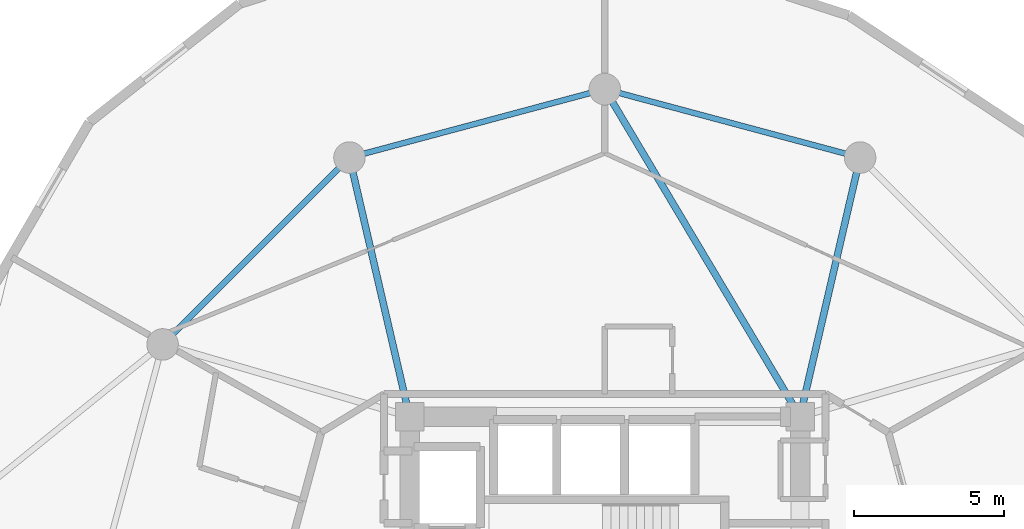
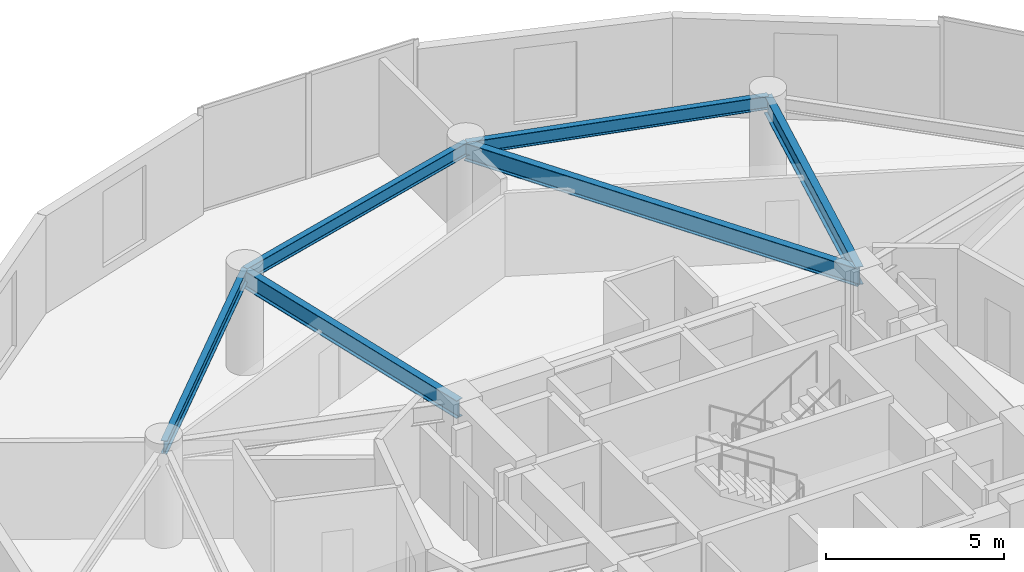
# One storey, part 11 of 20: 6 beams.
"""IFC4 building model written with IfcOpenShell, lengths in metres."""

import ifcopenshell
import ifcopenshell.guid

model = None  # the IFC model being written
_history = None  # IfcOwnerHistory: only IFC2X3 demands one
_inside = {}  # id of a spatial element -> (the spatial element, [elements in it])
_under = {}  # id of a project, library or spatial element -> (it, [spatial elements below it])
_declared = {}  # id of a project -> (the project, [libraries it declares])
_typed = {}  # id of a type object -> (the type object, [elements of that type])
_made_of = {}  # id of a material, layer set ... -> (it, [elements and type objects made of it])


def new_model(schema):
    """Start an empty IFC model of exactly this schema.

    Asked for "IFC4X3", IfcOpenShell would pick the latest addendum, in which some entities
    have other attributes; the version numbers below select the first issue.
    IFC2X3 requires an IfcOwnerHistory on every rooted entity: one is made here for all.
    """
    global model, _history
    if schema == "IFC4X3":
        model = ifcopenshell.file(schema_version=(4, 3, 0, 0))
    else:
        model = ifcopenshell.file(schema=schema)
    _inside.clear()
    _under.clear()
    _declared.clear()
    _typed.clear()
    _made_of.clear()
    _history = None
    if model.schema == "IFC2X3":
        org = make("IfcOrganization", Name="unknown")
        user = make(
            "IfcPersonAndOrganization",
            ThePerson=make("IfcPerson", FamilyName="unknown"),
            TheOrganization=org,
        )
        app = make(
            "IfcApplication",
            ApplicationDeveloper=org,
            Version="unknown",
            ApplicationFullName="unknown",
            ApplicationIdentifier="unknown",
        )
        _history = make(
            "IfcOwnerHistory",
            OwningUser=user,
            OwningApplication=app,
            ChangeAction="ADDED",
            CreationDate=0,
        )
    return model


def make(cls, **values):
    """One entity of the class cls with the attributes given. An attribute that is None is left unset."""
    return model.create_entity(
        cls, **{name: value for name, value in values.items() if value is not None}
    )


def rooted(cls, **values):
    """An entity with a GlobalId (a new one), such as an element, a storey or a relation."""
    return make(cls, GlobalId=ifcopenshell.guid.new(), OwnerHistory=_history, **values)


def si_unit(unit_type, name, prefix=None):
    """IfcSIUnit, for example si_unit("LENGTHUNIT", "METRE", prefix="MILLI")."""
    return make("IfcSIUnit", UnitType=unit_type, Prefix=prefix, Name=name)


def assignment(units):
    """IfcUnitAssignment: the units of a project."""
    return None if units is None else make("IfcUnitAssignment", Units=units)


def point(xyz):
    """IfcCartesianPoint."""
    return None if xyz is None else make("IfcCartesianPoint", Coordinates=xyz)


def direction(xyz):
    """IfcDirection."""
    return None if xyz is None else make("IfcDirection", DirectionRatios=xyz)


def frame(location, z_axis=None, x_axis=None):
    """IfcAxis2Placement3D, a coordinate frame: its origin and axes. An axis left out is left unset."""
    return make(
        "IfcAxis2Placement3D",
        Location=point(location),
        Axis=direction(z_axis),
        RefDirection=direction(x_axis),
    )


def frame_2d(location, x_axis=None):
    """IfcAxis2Placement2D, a coordinate frame in the plane: its origin and x axis."""
    return make(
        "IfcAxis2Placement2D", Location=point(location), RefDirection=direction(x_axis)
    )


def origin():
    """The frame at (0, 0, 0) with its axes left unset."""
    return frame((0.0, 0.0, 0.0))


def origin_2d():
    """The frame at (0, 0) in the plane with its x axis left unset."""
    return frame_2d((0.0, 0.0))


def place(relative_to, where):
    """IfcLocalPlacement: puts the frame where relative to a parent placement (None: the world)."""
    return make(
        "IfcLocalPlacement", PlacementRelTo=relative_to, RelativePlacement=where
    )


def context(
    kind, dimensions, precision=None, world=None, true_north=None, identifier=None
):
    """IfcGeometricRepresentationContext, for example the 3D "Model" context."""
    return make(
        "IfcGeometricRepresentationContext",
        ContextIdentifier=identifier,
        ContextType=kind,
        CoordinateSpaceDimension=dimensions,
        Precision=precision,
        WorldCoordinateSystem=world,
        TrueNorth=true_north,
    )


def subcontext(parent, identifier, kind, view, scale=None):
    """IfcGeometricRepresentationSubContext, for example "Body" below "Model"."""
    return make(
        "IfcGeometricRepresentationSubContext",
        ContextIdentifier=identifier,
        ContextType=kind,
        ParentContext=parent,
        TargetScale=scale,
        TargetView=view,
    )


def project(units=None, contexts=None):
    """IfcProject with its units and contexts."""
    return rooted(
        "IfcProject",
        Name="project",
        RepresentationContexts=contexts,
        UnitsInContext=assignment(units),
    )


def spatial(cls, under=None, at=None, **own):
    """A site, building, storey or space (cls), placed at a placement, below another one or the project."""
    s = rooted(cls, ObjectPlacement=at, **own)
    if under is not None:
        _under.setdefault(under.id(), (under, []))[1].append(s)
    return s


def profile(cls, at=None, kind="AREA", **sizes):
    """A parametric profile (cls). Its sizes go by their IFC names, for example OverallWidth=200.0."""
    return make(cls, ProfileType=kind, Position=at, **sizes)


def i_section(**sizes):
    """IfcIShapeProfileDef."""
    return profile("IfcIShapeProfileDef", **sizes)


def extrude(swept, where, along, depth):
    """IfcExtrudedAreaSolid: the profile swept, set in the frame where, extruded along a direction by depth."""
    return make(
        "IfcExtrudedAreaSolid",
        SweptArea=swept,
        Position=where,
        ExtrudedDirection=direction(along),
        Depth=depth,
    )


def shape(context_of_items, identifier, shape_type, items):
    """IfcShapeRepresentation: the items that make up one representation, for example the "Body"."""
    return make(
        "IfcShapeRepresentation",
        ContextOfItems=context_of_items,
        RepresentationIdentifier=identifier,
        RepresentationType=shape_type,
        Items=items,
    )


def material(Name=None, Category=None):
    """IfcMaterial."""
    return make("IfcMaterial", Name=Name, Category=Category)


def material_profile(
    of_material, cross_section, Name=None, Category=None, Priority=None
):
    """IfcMaterialProfile: a cross section and its material."""
    return make(
        "IfcMaterialProfile",
        Name=Name,
        Material=of_material,
        Profile=cross_section,
        Priority=Priority,
        Category=Category,
    )


def profile_set(profiles, Name=None, composite=None):
    """IfcMaterialProfileSet."""
    return make(
        "IfcMaterialProfileSet",
        Name=Name,
        MaterialProfiles=profiles,
        CompositeProfile=composite,
    )


def made_of(thing, what):
    """Note that an element or type object is made of a material, layer set ...; save() writes the relation."""
    if what is not None:
        _made_of.setdefault(what.id(), (what, []))[1].append(thing)
    return thing


def type_object(cls, material=None, **own):
    """A type object (cls), such as IfcWallType, which elements share."""
    return made_of(rooted(cls, **own), material)


def element(
    cls,
    number,
    at=None,
    inside=None,
    cuts=None,
    type_object=None,
    material=None,
    context=None,
    identifier="Body",
    shape_type=None,
    held_by="IfcProductDefinitionShape",
    body=None,
    shapes=None,
    **own,
):
    """One element of the class cls, such as IfcWall. Its Tag is "e" and its number.

    at: its placement. inside: the storey or other place that contains it. cuts: it is an
    opening in that element (IfcRelVoidsElement). A single representation is given by context,
    identifier, shape_type and body (its items); several are given by shapes. held_by: the class
    of the entity that holds the representations. save() writes the other relations.
    """
    e = rooted(cls, Tag="e%d" % number, ObjectPlacement=at, **own)
    if body is not None:
        shapes = [shape(context, identifier, shape_type, body)]
    if shapes is not None:
        e.Representation = make(held_by, Representations=shapes)
    if inside is not None:
        _inside.setdefault(inside.id(), (inside, []))[1].append(e)
    if cuts is not None:
        rooted(
            "IfcRelVoidsElement", RelatingBuildingElement=cuts, RelatedOpeningElement=e
        )
    if type_object is not None:
        _typed.setdefault(type_object.id(), (type_object, []))[1].append(e)
    return made_of(e, material)


def aggregate(whole, parts):
    """IfcRelAggregates: a whole, such as a stair, and the parts it consists of."""
    return rooted("IfcRelAggregates", RelatingObject=whole, RelatedObjects=parts)


def save(model, path):
    """Write the relations noted so far, then the file.

    IfcRelAggregates (storeys below a building ...), IfcRelContainedInSpatialStructure (elements
    in a storey), IfcRelDefinesByType, IfcRelAssociatesMaterial and IfcRelDeclares: one each for
    every whole, place, type object, material and project.
    """
    for whole, parts in _under.values():
        aggregate(whole, parts)
    for where, things in _inside.values():
        rooted(
            "IfcRelContainedInSpatialStructure",
            RelatedElements=things,
            RelatingStructure=where,
        )
    for kind, things in _typed.values():
        rooted("IfcRelDefinesByType", RelatedObjects=things, RelatingType=kind)
    for what, things in _made_of.values():
        rooted("IfcRelAssociatesMaterial", RelatedObjects=things, RelatingMaterial=what)
    for by, libraries in _declared.values():
        rooted("IfcRelDeclares", RelatingContext=by, RelatedDefinitions=libraries)
    model.write(path)


model = new_model("IFC4")

# Units and contexts
model_context = context("Model", 3, precision=1e-05, world=origin(), true_north=direction((0.0, 1.0)))
body_context = subcontext(model_context, "Body", "Model", "MODEL_VIEW")
ifc_project = project(units=[si_unit("LENGTHUNIT", "METRE"), si_unit("AREAUNIT", "SQUARE_METRE"), si_unit("VOLUMEUNIT", "CUBIC_METRE"), si_unit("PLANEANGLEUNIT", "RADIAN"), si_unit("MASSUNIT", "GRAM", prefix="KILO")], contexts=[model_context])

# Site, building, storey
site_placement = place(None, origin())
site = spatial("IfcSite", under=ifc_project, at=site_placement, CompositionType="ELEMENT")
building_placement = place(site_placement, origin())
building = spatial("IfcBuilding", under=site, at=building_placement, Name="Solvirekh Grand Hotel", CompositionType="ELEMENT")
storey_placement = place(building_placement, frame((0.0, 0.0, 135.0)))
storey = spatial("IfcBuildingStorey", under=building, at=storey_placement, Name="L34", CompositionType="ELEMENT", Elevation=135.0)

# Beams
ifc_material = material(Name="Steel S355", Category="steel")
ifc_material_profile_1 = material_profile(ifc_material, i_section(OverallWidth=0.22802734375, OverallDepth=0.616943359375, WebThickness=0.012939453125, FlangeThickness=0.02001953125, FilletRadius=0.014892578125, at=origin_2d()), Name="W610X140")
ifc_profile_set_1 = profile_set([ifc_material_profile_1], Name="Steel S355")
beam_type_1 = type_object("IfcBeamType", Name="Beam_Radial_W610", PredefinedType="BEAM", material=ifc_profile_set_1)
beam_1_placement = place(storey_placement, frame((6.5, 6.10009765625, 3.041015625), z_axis=(0.225969390542, 0.974134402707, 0.0), x_axis=(-0.974134402707, 0.225969390542, 0.0)))
element("IfcBeam", 1, at=beam_1_placement, inside=storey, type_object=beam_type_1, Name="L34 radial floor beam R03", PredefinedType="BEAM", context=body_context, shape_type="SweptSolid", body=[
    extrude(i_section(OverallWidth=0.22802734375, OverallDepth=0.616943359375, WebThickness=0.012939453125, FlangeThickness=0.02001953125, FilletRadius=0.014892578125, at=origin_2d()), origin(), (0.0, 0.0, 1.0), 8.850830078125),
])
beam_2_placement = place(storey_placement, frame((6.5, 6.10009765625, 3.041015625), z_axis=(-0.512179721377, 0.858878299301, 0.0), x_axis=(-0.858878299301, -0.512179721377, 0.0)))
element("IfcBeam", 2, at=beam_2_placement, inside=storey, type_object=beam_type_1, Name="L34 radial floor beam R04", PredefinedType="BEAM", context=body_context, shape_type="SweptSolid", body=[
    extrude(i_section(OverallWidth=0.22802734375, OverallDepth=0.616943359375, WebThickness=0.012939453125, FlangeThickness=0.02001953125, FilletRadius=0.014892578125, at=origin_2d()), origin(), (0.0, 0.0, 1.0), 12.69091796875),
])
beam_3_placement = place(storey_placement, frame((-6.5, 6.10009765625, 3.041015625), z_axis=(-0.225969390542, 0.974134402707, 0.0), x_axis=(-0.974134402707, -0.225969390542, 0.0)))
element("IfcBeam", 3, at=beam_3_placement, inside=storey, type_object=beam_type_1, Name="L34 radial floor beam R05", PredefinedType="BEAM", context=body_context, shape_type="SweptSolid", body=[
    extrude(i_section(OverallWidth=0.22802734375, OverallDepth=0.616943359375, WebThickness=0.012939453125, FlangeThickness=0.02001953125, FilletRadius=0.014892578125, at=origin_2d()), origin(), (0.0, 0.0, 1.0), 8.850830078125),
])
ifc_material_profile_2 = material_profile(ifc_material, i_section(OverallWidth=0.18994140625, OverallDepth=0.45703125, WebThickness=0.009033203125, FlangeThickness=0.013916015625, FilletRadius=0.012939453125, at=origin_2d()), Name="W460X74")
ifc_profile_set_2 = profile_set([ifc_material_profile_2], Name="Steel S355")
beam_type_2 = type_object("IfcBeamType", Name="Spandrel_Ring_W460", PredefinedType="SPANDREL", material=ifc_profile_set_2)
for number, where, z_axis, x_axis, name in (
    (4, (8.5, 14.721923828125, 3.12109375), (-0.965911391906, 0.258872908946, 0.0), (-0.258872908946, -0.965911391906, 0.0), "L34 perimeter spandrel beam 3"),
    (5, (0.0, 17.0, 3.12109375), (-0.965911391906, -0.258872908946, 0.0), (0.258872908946, -0.965911391906, 0.0), "L34 perimeter spandrel beam 4"),
):
    element("IfcBeam", number, at=place(storey_placement, frame(where, z_axis=z_axis, x_axis=x_axis)), inside=storey, type_object=beam_type_2, Name=name, PredefinedType="SPANDREL", context=body_context, shape_type="SweptSolid", body=[
        extrude(i_section(OverallWidth=0.18994140625, OverallDepth=0.45703125, WebThickness=0.009033203125, FlangeThickness=0.013916015625, FilletRadius=0.012939453125, at=origin_2d()), origin(), (0.0, 0.0, 1.0), 8.800048828125),
    ])
beam_4_placement = place(storey_placement, frame((-8.5, 14.721923828125, 3.12109375), z_axis=(-0.707106781187, -0.707106781187, 0.0), x_axis=(0.707106781187, -0.707106781187, 0.0)))
element("IfcBeam", 6, at=beam_4_placement, inside=storey, type_object=beam_type_2, Name="L34 perimeter spandrel beam 5", PredefinedType="SPANDREL", context=body_context, shape_type="SweptSolid", body=[
    extrude(i_section(OverallWidth=0.18994140625, OverallDepth=0.45703125, WebThickness=0.009033203125, FlangeThickness=0.013916015625, FilletRadius=0.012939453125, at=origin_2d()), origin(), (0.0, 0.0, 1.0), 8.799072265625),
])

save(model, "model.ifc")
